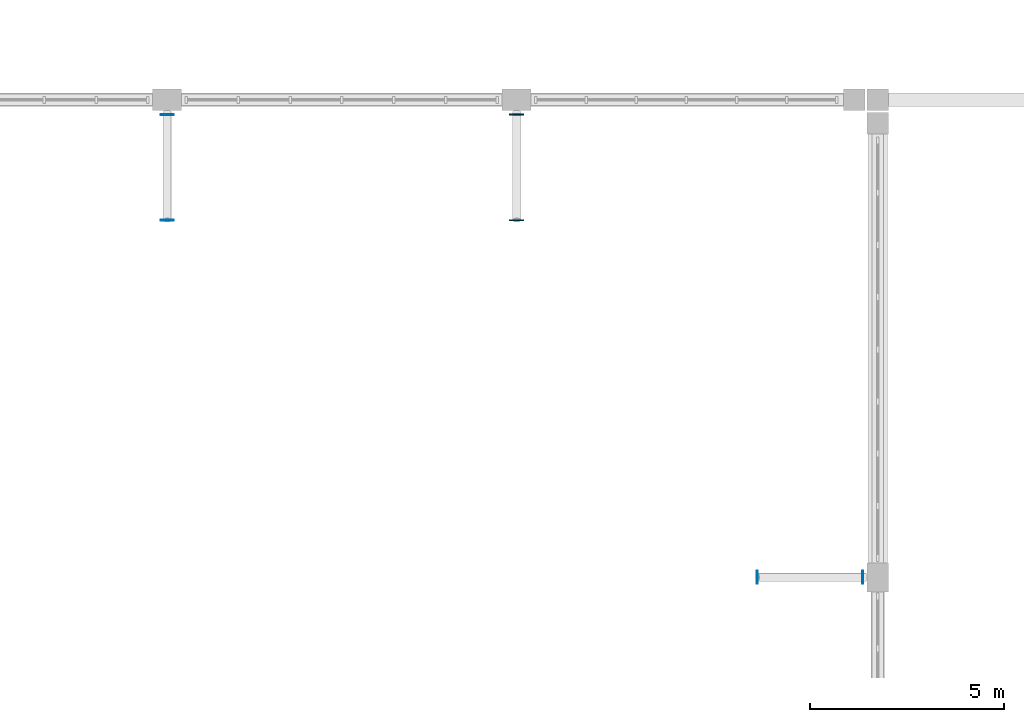
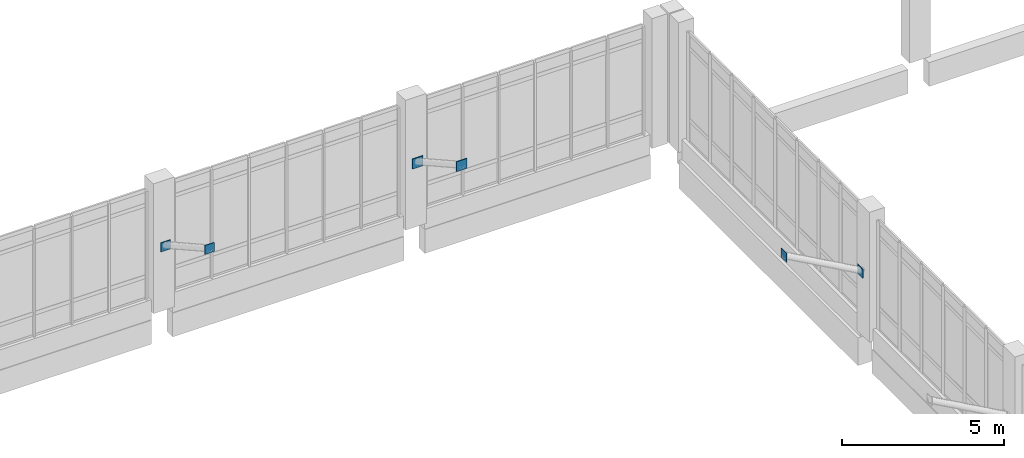
# One storey, part 74 of 110: 6 plates.
"""IFC4 building model written with IfcOpenShell, lengths in metres."""

from ifc_helpers import new_model, si_unit, direction, frame, origin, origin_2d, place, context, subcontext, project, spatial, rectangle, extrude, material, layer, layer_set, type_object, element, save


model = new_model("IFC4")

# Units and contexts
model_context = context("Model", 3, precision=1e-05, world=origin(), true_north=direction((0.0, 1.0)))
body_context = subcontext(model_context, "Body", "Model", "MODEL_VIEW")
ifc_project = project(units=[si_unit("LENGTHUNIT", "METRE"), si_unit("AREAUNIT", "SQUARE_METRE"), si_unit("VOLUMEUNIT", "CUBIC_METRE"), si_unit("PLANEANGLEUNIT", "RADIAN"), si_unit("MASSUNIT", "GRAM", prefix="KILO")], contexts=[model_context])

# Site, building, storey
site_placement = place(None, origin())
site = spatial("IfcSite", under=ifc_project, at=site_placement, CompositionType="ELEMENT")
building_placement = place(site_placement, origin())
building = spatial("IfcBuilding", under=site, at=building_placement, Name="Zacnel Wholesale Market", CompositionType="ELEMENT")
storey_placement = place(building_placement, frame((0.0, 0.0, 6.300048828125)))
storey = spatial("IfcBuildingStorey", under=building, at=storey_placement, Name="L02", CompositionType="ELEMENT", Elevation=6.300048828125)

# Plates
ifc_material_1 = material(Name="Steel S355", Category="steel")
ifc_layer_1 = layer(ifc_material_1, 0.02392578125)
ifc_layer_set_1 = layer_set([ifc_layer_1], Name="Steel S355")
plate_type_1 = type_object("IfcPlateType", Name="PLT-GUS-340X24", PredefinedType="SHEET", material=ifc_layer_set_1)
for number, where, z_axis, x_axis, name in (
    (1, (126.0, 95.919921875, 2.330078125), (0.0, 0.0, 1.0), (1.0, 0.0, 0.0), "Eave strut gusset plate 006"),
    (2, (126.0, 93.199951171875, 3.8798828125), (0.0, 0.0, 1.0), (1.0, 0.0, 0.0), "Eave strut tip gusset plate 007"),
    (3, (143.919921875, 84.0, 2.330078125), (0.0, 0.0, 1.0), (0.0, 1.0, 0.0), "Eave strut gusset plate 011"),
    (4, (141.199951171875, 84.0, 3.8798828125), (0.0, 0.0, 1.0), (0.0, 1.0, 0.0), "Eave strut tip gusset plate 016"),
):
    element("IfcPlate", number, at=place(storey_placement, frame(where, z_axis=z_axis, x_axis=x_axis)), inside=storey, type_object=plate_type_1, Name=name, PredefinedType="SHEET", context=body_context, shape_type="SweptSolid", body=[
        extrude(rectangle(XDim=0.340087890625, YDim=0.02392578125, at=origin_2d()), origin(), (0.0, 0.0, 1.0), 0.340087890625),
    ])
ifc_material_2 = material(Name="Steel S355", Category="steel")
ifc_layer_2 = layer(ifc_material_2, 0.028076171875)
ifc_layer_set_2 = layer_set([ifc_layer_2], Name="Steel S355")
plate_type_2 = type_object("IfcPlateType", Name="PLT-GUS-380X28", PredefinedType="SHEET", material=ifc_layer_set_2)
for number, where, z_axis, x_axis, name in (
    (5, (135.0, 95.919921875, 2.31005859375), (0.0, 0.0, 1.0), (1.0, 0.0, 0.0), "Eave strut gusset plate 007"),
    (6, (135.0, 93.199951171875, 3.860107421875), (0.0, 0.0, 1.0), (1.0, 0.0, 0.0), "Eave strut tip gusset plate 008"),
):
    element("IfcPlate", number, at=place(storey_placement, frame(where, z_axis=z_axis, x_axis=x_axis)), inside=storey, type_object=plate_type_2, Name=name, PredefinedType="SHEET", context=body_context, shape_type="SweptSolid", body=[
        extrude(rectangle(XDim=0.3798828125, YDim=0.028076171875, at=origin_2d()), origin(), (0.0, 0.0, 1.0), 0.3798828125),
    ])

save(model, "model.ifc")
